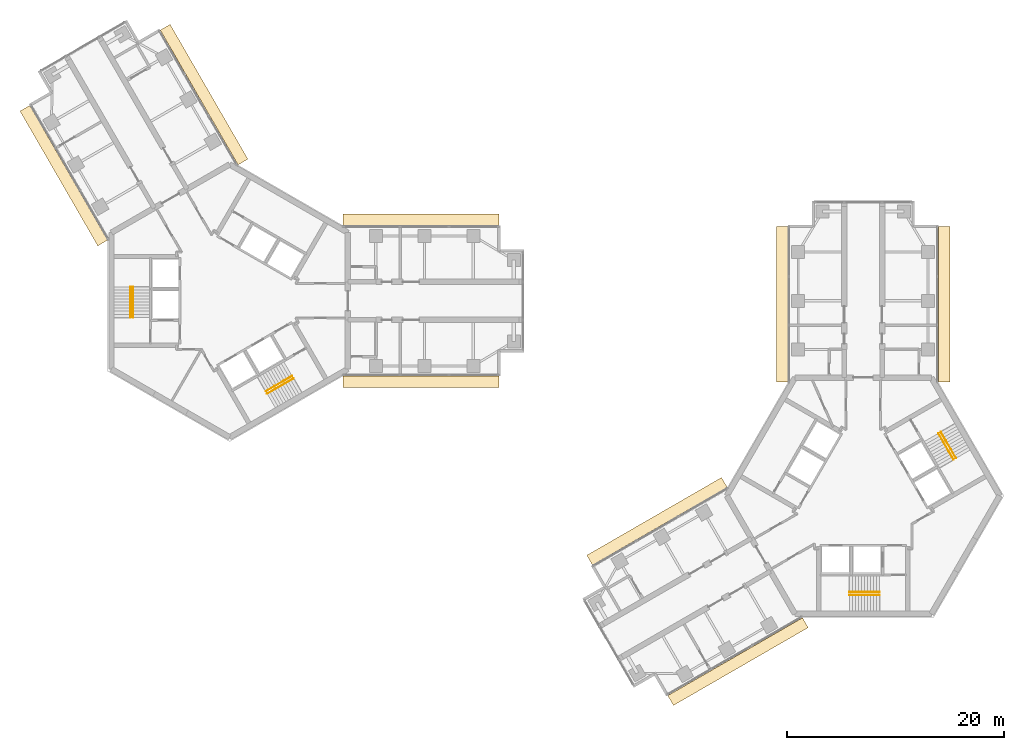
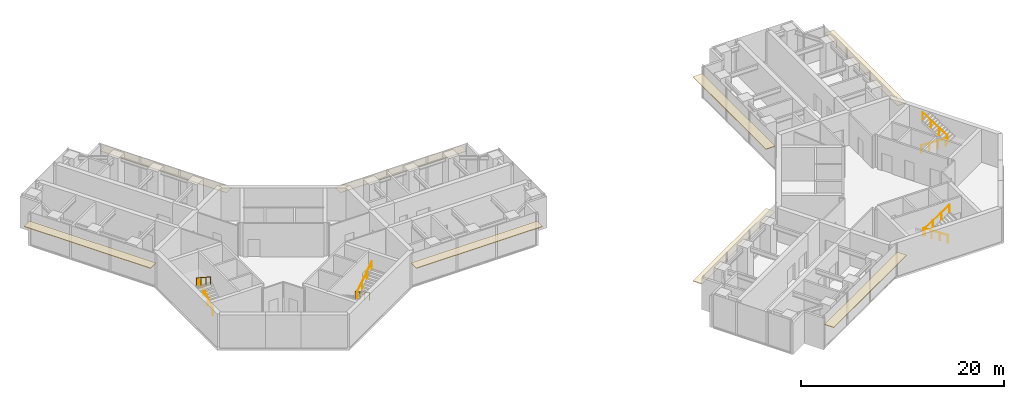
# One storey, part 17 of 17: 8 coverings, 8 railings.
"""IFC4 building model written with IfcOpenShell, lengths in metres."""

from ifc_helpers import new_model, si_unit, direction, frame, origin, origin_2d, place, context, subcontext, project, spatial, rectangle, circle, extrude, material, layer, layer_set, type_object, element, save


model = new_model("IFC4")

# Units and contexts
model_context = context("Model", 3, precision=1e-05, world=origin(), true_north=direction((0.0, 1.0)))
body_context = subcontext(model_context, "Body", "Model", "MODEL_VIEW")
ifc_project = project(units=[si_unit("LENGTHUNIT", "METRE"), si_unit("AREAUNIT", "SQUARE_METRE"), si_unit("VOLUMEUNIT", "CUBIC_METRE"), si_unit("PLANEANGLEUNIT", "RADIAN"), si_unit("MASSUNIT", "GRAM", prefix="KILO")], contexts=[model_context])

# Site, building, storey
site_placement = place(None, origin())
site = spatial("IfcSite", under=ifc_project, at=site_placement, CompositionType="ELEMENT")
building_placement = place(site_placement, origin())
building = spatial("IfcBuilding", under=site, at=building_placement, Name="Upepo Twin Towers", CompositionType="ELEMENT")
storey_placement = place(building_placement, frame((0.0, 0.0, 182.5)))
storey = spatial("IfcBuildingStorey", under=building, at=storey_placement, Name="L44", CompositionType="ELEMENT", Elevation=182.5)

# Coverings
ifc_material_1 = material(Name="Anodised aluminium, pale silver", Category="aluminium")
ifc_layer = layer(ifc_material_1, 0.080078125)
ifc_layer_set = layer_set([ifc_layer], Name="Brise-soleil blade 1050 pale aluminium")
covering_type = type_object("IfcCoveringType", Name="Brise-soleil blade 1050 pale aluminium", PredefinedType="USERDEFINED", material=ifc_layer_set)
for number, where, z_axis, x_axis, name in (
    (1, (17.66845703125, 7.4775390625, 2.909912109375), (0.0, 0.0, 1.0), (1.0, 0.0, 0.0), "T1 L44 wing A brise-soleil L"),
    (2, (17.66845703125, -7.4775390625, 2.909912109375), (0.0, 0.0, 1.0), (1.0, 0.0, 0.0), "T1 L44 wing A brise-soleil R"),
    (3, (-15.31005859375, 11.562744140625, 2.909912109375), (0.0, 0.0, 1.0), (-0.50000003023, 0.866025386331, 0.0), "T1 L44 wing B brise-soleil L"),
    (4, (-2.358642578125, 19.040283203125, 2.909912109375), (0.0, 0.0, 1.0), (-0.50000003023, 0.866025386331, 0.0), "T1 L44 wing B brise-soleil R"),
    (5, (51.0224609375, -0.33154296875, 2.909912109375), (0.0, 0.0, 1.0), (0.0, 1.0, 0.0), "T2 L44 wing A brise-soleil L"),
    (6, (65.9775390625, -0.33154296875, 2.909912109375), (0.0, 0.0, 1.0), (0.0, 1.0, 0.0), "T2 L44 wing A brise-soleil R"),
    (7, (46.937255859375, -33.31005859375, 2.909912109375), (0.0, 0.0, 1.0), (-0.866025386331, -0.50000003023, 0.0), "T2 L44 wing B brise-soleil L"),
    (8, (39.459716796875, -20.358642578125, 2.909912109375), (0.0, 0.0, 1.0), (-0.866025386331, -0.50000003023, 0.0), "T2 L44 wing B brise-soleil R"),
):
    element("IfcCovering", number, at=place(storey_placement, frame(where, z_axis=z_axis, x_axis=x_axis)), inside=storey, type_object=covering_type, Name=name, ObjectType="SUNSHADE", PredefinedType="USERDEFINED", context=body_context, shape_type="SweptSolid", body=[
        extrude(rectangle(XDim=14.36279296875, YDim=1.050048828125, at=origin_2d()), origin(), (0.0, 0.0, 1.0), 0.080078125),
    ])

# Railings
ifc_material_2 = material(Name="Stainless steel", Category="steel")
railing_type = type_object("IfcRailingType", Name="Stair handrail 900", PredefinedType="HANDRAIL", material=ifc_material_2)
railing_1_placement = place(storey_placement, frame((-8.89990234375, -1.52001953125, 0.181884765625)))
element("IfcRailing", 9, at=railing_1_placement, inside=storey, type_object=railing_type, Name="T1 stair S1 L44 handrail 1", PredefinedType="HANDRAIL", context=body_context, shape_type="SweptSolid", body=[
    extrude(circle(Radius=0.02392578125, at=origin_2d()), frame((0.0, 0.0, 0.8759765625), z_axis=(0.0, 0.838705829183, 0.544584733623), x_axis=(-1.0, 0.0, 0.0)), (0.0, 0.0, 1.0), 3.338623046875),
    extrude(circle(Radius=0.02099609375, at=origin_2d()), origin(), (0.0, 0.0, 1.0), 0.851806640625),
    extrude(circle(Radius=0.02099609375, at=origin_2d()), frame((0.0, 0.933349609375, 0.60595703125)), (0.0, 0.0, 1.0), 0.851806640625),
    extrude(circle(Radius=0.02099609375, at=origin_2d()), frame((0.0, 1.86669921875, 1.212158203125)), (0.0, 0.0, 1.0), 0.851806640625),
    extrude(circle(Radius=0.02099609375, at=origin_2d()), frame((0.0, 2.800048828125, 1.818115234375)), (0.0, 0.0, 1.0), 0.851806640625),
])
railing_2_placement = place(storey_placement, frame((-9.158447265625, 1.280029296875, 2.181884765625)))
element("IfcRailing", 10, at=railing_2_placement, inside=storey, type_object=railing_type, Name="T1 stair S1 L44 handrail 2", PredefinedType="HANDRAIL", context=body_context, shape_type="SweptSolid", body=[
    extrude(circle(Radius=0.02392578125, at=origin_2d()), frame((0.0, 0.0, 0.8759765625), z_axis=(0.0, -0.838705829183, 0.544584733623), x_axis=(1.0, 0.0, 0.0)), (0.0, 0.0, 1.0), 3.338623046875),
    extrude(circle(Radius=0.02099609375, at=origin_2d()), origin(), (0.0, 0.0, 1.0), 0.851806640625),
    extrude(circle(Radius=0.02099609375, at=origin_2d()), frame((0.0, -0.933349609375, 0.60595703125)), (0.0, 0.0, 1.0), 0.851806640625),
    extrude(circle(Radius=0.02099609375, at=origin_2d()), frame((0.0, -1.86669921875, 1.212158203125)), (0.0, 0.0, 1.0), 0.851806640625),
    extrude(circle(Radius=0.02099609375, at=origin_2d()), frame((0.0, -2.800048828125, 1.818115234375)), (0.0, 0.0, 1.0), 0.851806640625),
])
railing_3_placement = place(storey_placement, frame((5.766357421875, -6.947509765625, 0.181884765625)))
element("IfcRailing", 11, at=railing_3_placement, inside=storey, type_object=railing_type, Name="T1 stair S2 L44 handrail 1", PredefinedType="HANDRAIL", context=body_context, shape_type="SweptSolid", body=[
    extrude(circle(Radius=0.02392578125, at=origin_2d()), frame((0.0, 0.0, 0.8759765625), z_axis=(-0.726314030065, -0.419392968428, 0.544589265193), x_axis=(0.500049511043, -0.865996816683, 0.0)), (0.0, 0.0, 1.0), 3.338623046875),
    extrude(circle(Radius=0.02099609375, at=origin_2d()), origin(), (0.0, 0.0, 1.0), 0.851806640625),
    extrude(circle(Radius=0.02099609375, at=origin_2d()), frame((-0.808349609375, -0.466796875, 0.60595703125)), (0.0, 0.0, 1.0), 0.851806640625),
    extrude(circle(Radius=0.02099609375, at=origin_2d()), frame((-1.616455078125, -0.933349609375, 1.212158203125)), (0.0, 0.0, 1.0), 0.851806640625),
    extrude(circle(Radius=0.02099609375, at=origin_2d()), frame((-2.4248046875, -1.400146484375, 1.818115234375)), (0.0, 0.0, 1.0), 0.851806640625),
])
railing_4_placement = place(storey_placement, frame((3.470703125, -8.5712890625, 2.181884765625)))
element("IfcRailing", 12, at=railing_4_placement, inside=storey, type_object=railing_type, Name="T1 stair S2 L44 handrail 2", PredefinedType="HANDRAIL", context=body_context, shape_type="SweptSolid", body=[
    extrude(circle(Radius=0.02392578125, at=origin_2d()), frame((0.0, 0.0, 0.8759765625), z_axis=(0.726336304947, 0.419332699614, 0.544605966869), x_axis=(-0.49998411664, 0.866034573852, 0.0)), (0.0, 0.0, 1.0), 3.33837890625),
    extrude(circle(Radius=0.02099609375, at=origin_2d()), origin(), (0.0, 0.0, 1.0), 0.851806640625),
    extrude(circle(Radius=0.02099609375, at=origin_2d()), frame((0.808349609375, 0.466552734375, 0.60595703125)), (0.0, 0.0, 1.0), 0.851806640625),
    extrude(circle(Radius=0.02099609375, at=origin_2d()), frame((1.616455078125, 0.933349609375, 1.212158203125)), (0.0, 0.0, 1.0), 0.851806640625),
    extrude(circle(Radius=0.02099609375, at=origin_2d()), frame((2.4248046875, 1.39990234375, 1.818115234375)), (0.0, 0.0, 1.0), 0.851806640625),
])
railing_5_placement = place(storey_placement, frame((60.02001953125, -26.89990234375, 0.181884765625)))
element("IfcRailing", 13, at=railing_5_placement, inside=storey, type_object=railing_type, Name="T2 stair S1 L44 handrail 1", PredefinedType="HANDRAIL", context=body_context, shape_type="SweptSolid", body=[
    extrude(circle(Radius=0.02392578125, at=origin_2d()), frame((0.0, 0.0, 0.8759765625), z_axis=(-0.838705829183, 0.0, 0.544584733623), x_axis=(0.0, -1.0, 0.0)), (0.0, 0.0, 1.0), 3.338623046875),
    extrude(circle(Radius=0.02099609375, at=origin_2d()), origin(), (0.0, 0.0, 1.0), 0.851806640625),
    extrude(circle(Radius=0.02099609375, at=origin_2d()), frame((-0.933349609375, 0.0, 0.60595703125)), (0.0, 0.0, 1.0), 0.851806640625),
    extrude(circle(Radius=0.02099609375, at=origin_2d()), frame((-1.86669921875, 0.0, 1.212158203125)), (0.0, 0.0, 1.0), 0.851806640625),
    extrude(circle(Radius=0.02099609375, at=origin_2d()), frame((-2.800048828125, 0.0, 1.818115234375)), (0.0, 0.0, 1.0), 0.851806640625),
])
railing_6_placement = place(storey_placement, frame((57.219970703125, -27.158447265625, 2.181884765625)))
element("IfcRailing", 14, at=railing_6_placement, inside=storey, type_object=railing_type, Name="T2 stair S1 L44 handrail 2", PredefinedType="HANDRAIL", context=body_context, shape_type="SweptSolid", body=[
    extrude(circle(Radius=0.02392578125, at=origin_2d()), frame((0.0, 0.0, 0.8759765625), z_axis=(0.838705829183, 0.0, 0.544584733623), x_axis=(0.0, 1.0, 0.0)), (0.0, 0.0, 1.0), 3.338623046875),
    extrude(circle(Radius=0.02099609375, at=origin_2d()), origin(), (0.0, 0.0, 1.0), 0.851806640625),
    extrude(circle(Radius=0.02099609375, at=origin_2d()), frame((0.933349609375, 0.0, 0.60595703125)), (0.0, 0.0, 1.0), 0.851806640625),
    extrude(circle(Radius=0.02099609375, at=origin_2d()), frame((1.86669921875, 0.0, 1.212158203125)), (0.0, 0.0, 1.0), 0.851806640625),
    extrude(circle(Radius=0.02099609375, at=origin_2d()), frame((2.800048828125, 0.0, 1.818115234375)), (0.0, 0.0, 1.0), 0.851806640625),
])
railing_7_placement = place(storey_placement, frame((65.447509765625, -12.233642578125, 0.181884765625)))
element("IfcRailing", 15, at=railing_7_placement, inside=storey, type_object=railing_type, Name="T2 stair S2 L44 handrail 1", PredefinedType="HANDRAIL", context=body_context, shape_type="SweptSolid", body=[
    extrude(circle(Radius=0.02392578125, at=origin_2d()), frame((0.0, 0.0, 0.8759765625), z_axis=(0.419392968428, -0.726314030065, 0.544589265193), x_axis=(0.865996816683, 0.500049511043, 0.0)), (0.0, 0.0, 1.0), 3.338623046875),
    extrude(circle(Radius=0.02099609375, at=origin_2d()), origin(), (0.0, 0.0, 1.0), 0.851806640625),
    extrude(circle(Radius=0.02099609375, at=origin_2d()), frame((0.466796875, -0.808349609375, 0.60595703125)), (0.0, 0.0, 1.0), 0.851806640625),
    extrude(circle(Radius=0.02099609375, at=origin_2d()), frame((0.933349609375, -1.616455078125, 1.212158203125)), (0.0, 0.0, 1.0), 0.851806640625),
    extrude(circle(Radius=0.02099609375, at=origin_2d()), frame((1.400146484375, -2.4248046875, 1.818115234375)), (0.0, 0.0, 1.0), 0.851806640625),
])
railing_8_placement = place(storey_placement, frame((67.0712890625, -14.529296875, 2.181884765625)))
element("IfcRailing", 16, at=railing_8_placement, inside=storey, type_object=railing_type, Name="T2 stair S2 L44 handrail 2", PredefinedType="HANDRAIL", context=body_context, shape_type="SweptSolid", body=[
    extrude(circle(Radius=0.02392578125, at=origin_2d()), frame((0.0, 0.0, 0.8759765625), z_axis=(-0.419332699614, 0.726336304947, 0.544605966869), x_axis=(-0.866034573852, -0.49998411664, 0.0)), (0.0, 0.0, 1.0), 3.33837890625),
    extrude(circle(Radius=0.02099609375, at=origin_2d()), origin(), (0.0, 0.0, 1.0), 0.851806640625),
    extrude(circle(Radius=0.02099609375, at=origin_2d()), frame((-0.466552734375, 0.808349609375, 0.60595703125)), (0.0, 0.0, 1.0), 0.851806640625),
    extrude(circle(Radius=0.02099609375, at=origin_2d()), frame((-0.933349609375, 1.616455078125, 1.212158203125)), (0.0, 0.0, 1.0), 0.851806640625),
    extrude(circle(Radius=0.02099609375, at=origin_2d()), frame((-1.39990234375, 2.4248046875, 1.818115234375)), (0.0, 0.0, 1.0), 0.851806640625),
])

save(model, "model.ifc")
